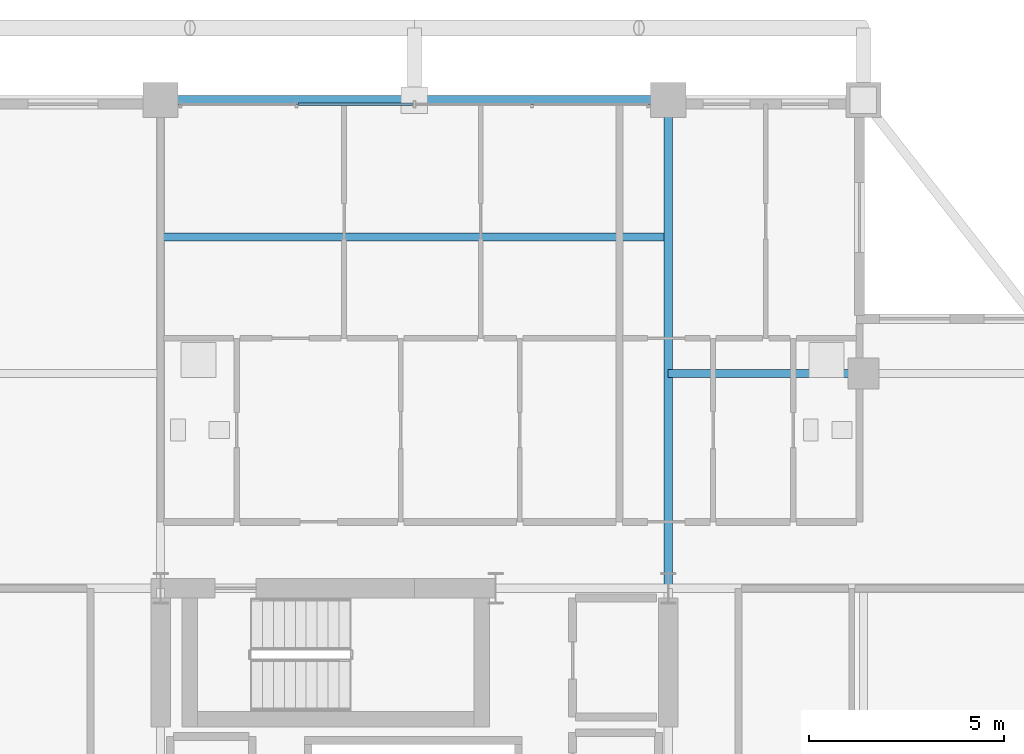
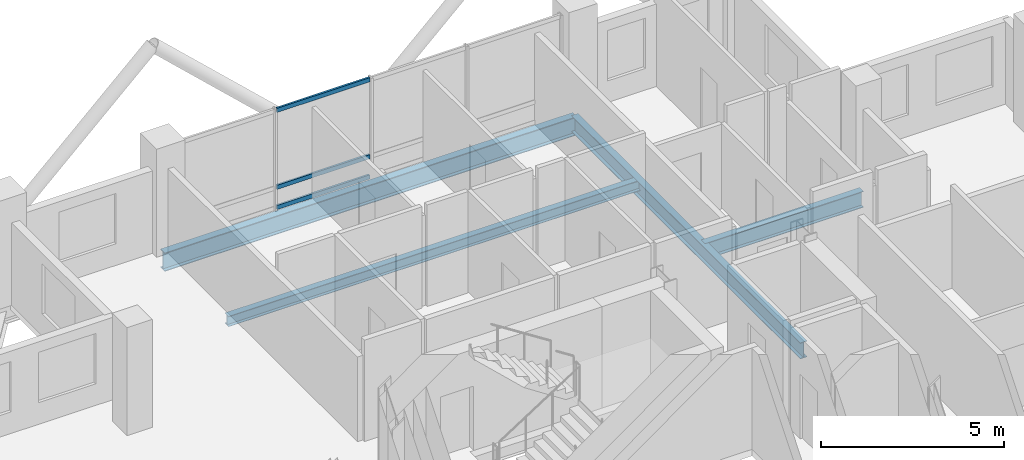
# One storey, part 16 of 25: 4 beams, 3 members, 1 element without a shape of its own.
"""IFC4 building model written with IfcOpenShell, lengths in metres."""

import ifcopenshell
import ifcopenshell.guid

model = None  # the IFC model being written
_history = None  # IfcOwnerHistory: only IFC2X3 demands one
_inside = {}  # id of a spatial element -> (the spatial element, [elements in it])
_under = {}  # id of a project, library or spatial element -> (it, [spatial elements below it])
_declared = {}  # id of a project -> (the project, [libraries it declares])
_typed = {}  # id of a type object -> (the type object, [elements of that type])
_made_of = {}  # id of a material, layer set ... -> (it, [elements and type objects made of it])


def new_model(schema):
    """Start an empty IFC model of exactly this schema.

    Asked for "IFC4X3", IfcOpenShell would pick the latest addendum, in which some entities
    have other attributes; the version numbers below select the first issue.
    IFC2X3 requires an IfcOwnerHistory on every rooted entity: one is made here for all.
    """
    global model, _history
    if schema == "IFC4X3":
        model = ifcopenshell.file(schema_version=(4, 3, 0, 0))
    else:
        model = ifcopenshell.file(schema=schema)
    _inside.clear()
    _under.clear()
    _declared.clear()
    _typed.clear()
    _made_of.clear()
    _history = None
    if model.schema == "IFC2X3":
        org = make("IfcOrganization", Name="unknown")
        user = make(
            "IfcPersonAndOrganization",
            ThePerson=make("IfcPerson", FamilyName="unknown"),
            TheOrganization=org,
        )
        app = make(
            "IfcApplication",
            ApplicationDeveloper=org,
            Version="unknown",
            ApplicationFullName="unknown",
            ApplicationIdentifier="unknown",
        )
        _history = make(
            "IfcOwnerHistory",
            OwningUser=user,
            OwningApplication=app,
            ChangeAction="ADDED",
            CreationDate=0,
        )
    return model


def make(cls, **values):
    """One entity of the class cls with the attributes given. An attribute that is None is left unset."""
    return model.create_entity(
        cls, **{name: value for name, value in values.items() if value is not None}
    )


def rooted(cls, **values):
    """An entity with a GlobalId (a new one), such as an element, a storey or a relation."""
    return make(cls, GlobalId=ifcopenshell.guid.new(), OwnerHistory=_history, **values)


def si_unit(unit_type, name, prefix=None):
    """IfcSIUnit, for example si_unit("LENGTHUNIT", "METRE", prefix="MILLI")."""
    return make("IfcSIUnit", UnitType=unit_type, Prefix=prefix, Name=name)


def assignment(units):
    """IfcUnitAssignment: the units of a project."""
    return None if units is None else make("IfcUnitAssignment", Units=units)


def point(xyz):
    """IfcCartesianPoint."""
    return None if xyz is None else make("IfcCartesianPoint", Coordinates=xyz)


def direction(xyz):
    """IfcDirection."""
    return None if xyz is None else make("IfcDirection", DirectionRatios=xyz)


def frame(location, z_axis=None, x_axis=None):
    """IfcAxis2Placement3D, a coordinate frame: its origin and axes. An axis left out is left unset."""
    return make(
        "IfcAxis2Placement3D",
        Location=point(location),
        Axis=direction(z_axis),
        RefDirection=direction(x_axis),
    )


def frame_2d(location, x_axis=None):
    """IfcAxis2Placement2D, a coordinate frame in the plane: its origin and x axis."""
    return make(
        "IfcAxis2Placement2D", Location=point(location), RefDirection=direction(x_axis)
    )


def origin():
    """The frame at (0, 0, 0) with its axes left unset."""
    return frame((0.0, 0.0, 0.0))


def origin_2d():
    """The frame at (0, 0) in the plane with its x axis left unset."""
    return frame_2d((0.0, 0.0))


def place(relative_to, where):
    """IfcLocalPlacement: puts the frame where relative to a parent placement (None: the world)."""
    return make(
        "IfcLocalPlacement", PlacementRelTo=relative_to, RelativePlacement=where
    )


def context(
    kind, dimensions, precision=None, world=None, true_north=None, identifier=None
):
    """IfcGeometricRepresentationContext, for example the 3D "Model" context."""
    return make(
        "IfcGeometricRepresentationContext",
        ContextIdentifier=identifier,
        ContextType=kind,
        CoordinateSpaceDimension=dimensions,
        Precision=precision,
        WorldCoordinateSystem=world,
        TrueNorth=true_north,
    )


def subcontext(parent, identifier, kind, view, scale=None):
    """IfcGeometricRepresentationSubContext, for example "Body" below "Model"."""
    return make(
        "IfcGeometricRepresentationSubContext",
        ContextIdentifier=identifier,
        ContextType=kind,
        ParentContext=parent,
        TargetScale=scale,
        TargetView=view,
    )


def project(units=None, contexts=None):
    """IfcProject with its units and contexts."""
    return rooted(
        "IfcProject",
        Name="project",
        RepresentationContexts=contexts,
        UnitsInContext=assignment(units),
    )


def spatial(cls, under=None, at=None, **own):
    """A site, building, storey or space (cls), placed at a placement, below another one or the project."""
    s = rooted(cls, ObjectPlacement=at, **own)
    if under is not None:
        _under.setdefault(under.id(), (under, []))[1].append(s)
    return s


def profile(cls, at=None, kind="AREA", **sizes):
    """A parametric profile (cls). Its sizes go by their IFC names, for example OverallWidth=200.0."""
    return make(cls, ProfileType=kind, Position=at, **sizes)


def hollow_rectangle(**sizes):
    """IfcRectangleHollowProfileDef."""
    return profile("IfcRectangleHollowProfileDef", **sizes)


def i_section(**sizes):
    """IfcIShapeProfileDef."""
    return profile("IfcIShapeProfileDef", **sizes)


def extrude(swept, where, along, depth):
    """IfcExtrudedAreaSolid: the profile swept, set in the frame where, extruded along a direction by depth."""
    return make(
        "IfcExtrudedAreaSolid",
        SweptArea=swept,
        Position=where,
        ExtrudedDirection=direction(along),
        Depth=depth,
    )


def shape(context_of_items, identifier, shape_type, items):
    """IfcShapeRepresentation: the items that make up one representation, for example the "Body"."""
    return make(
        "IfcShapeRepresentation",
        ContextOfItems=context_of_items,
        RepresentationIdentifier=identifier,
        RepresentationType=shape_type,
        Items=items,
    )


def material(Name=None, Category=None):
    """IfcMaterial."""
    return make("IfcMaterial", Name=Name, Category=Category)


def layer(
    of_material, thickness, ventilated=None, Name=None, Category=None, Priority=None
):
    """IfcMaterialLayer: one layer of a wall or slab, of a material (None: an air gap)."""
    return make(
        "IfcMaterialLayer",
        Material=of_material,
        LayerThickness=thickness,
        IsVentilated=ventilated,
        Name=Name,
        Category=Category,
        Priority=Priority,
    )


def layer_set(layers, Name=None):
    """IfcMaterialLayerSet."""
    return make("IfcMaterialLayerSet", MaterialLayers=layers, LayerSetName=Name)


def material_profile(
    of_material, cross_section, Name=None, Category=None, Priority=None
):
    """IfcMaterialProfile: a cross section and its material."""
    return make(
        "IfcMaterialProfile",
        Name=Name,
        Material=of_material,
        Profile=cross_section,
        Priority=Priority,
        Category=Category,
    )


def profile_set(profiles, Name=None, composite=None):
    """IfcMaterialProfileSet."""
    return make(
        "IfcMaterialProfileSet",
        Name=Name,
        MaterialProfiles=profiles,
        CompositeProfile=composite,
    )


def made_of(thing, what):
    """Note that an element or type object is made of a material, layer set ...; save() writes the relation."""
    if what is not None:
        _made_of.setdefault(what.id(), (what, []))[1].append(thing)
    return thing


def type_object(cls, material=None, **own):
    """A type object (cls), such as IfcWallType, which elements share."""
    return made_of(rooted(cls, **own), material)


def element(
    cls,
    number,
    at=None,
    inside=None,
    cuts=None,
    type_object=None,
    material=None,
    context=None,
    identifier="Body",
    shape_type=None,
    held_by="IfcProductDefinitionShape",
    body=None,
    shapes=None,
    **own,
):
    """One element of the class cls, such as IfcWall. Its Tag is "e" and its number.

    at: its placement. inside: the storey or other place that contains it. cuts: it is an
    opening in that element (IfcRelVoidsElement). A single representation is given by context,
    identifier, shape_type and body (its items); several are given by shapes. held_by: the class
    of the entity that holds the representations. save() writes the other relations.
    """
    e = rooted(cls, Tag="e%d" % number, ObjectPlacement=at, **own)
    if body is not None:
        shapes = [shape(context, identifier, shape_type, body)]
    if shapes is not None:
        e.Representation = make(held_by, Representations=shapes)
    if inside is not None:
        _inside.setdefault(inside.id(), (inside, []))[1].append(e)
    if cuts is not None:
        rooted(
            "IfcRelVoidsElement", RelatingBuildingElement=cuts, RelatedOpeningElement=e
        )
    if type_object is not None:
        _typed.setdefault(type_object.id(), (type_object, []))[1].append(e)
    return made_of(e, material)


def aggregate(whole, parts):
    """IfcRelAggregates: a whole, such as a stair, and the parts it consists of."""
    return rooted("IfcRelAggregates", RelatingObject=whole, RelatedObjects=parts)


def save(model, path):
    """Write the relations noted so far, then the file.

    IfcRelAggregates (storeys below a building ...), IfcRelContainedInSpatialStructure (elements
    in a storey), IfcRelDefinesByType, IfcRelAssociatesMaterial and IfcRelDeclares: one each for
    every whole, place, type object, material and project.
    """
    for whole, parts in _under.values():
        aggregate(whole, parts)
    for where, things in _inside.values():
        rooted(
            "IfcRelContainedInSpatialStructure",
            RelatedElements=things,
            RelatingStructure=where,
        )
    for kind, things in _typed.values():
        rooted("IfcRelDefinesByType", RelatedObjects=things, RelatingType=kind)
    for what, things in _made_of.values():
        rooted("IfcRelAssociatesMaterial", RelatedObjects=things, RelatingMaterial=what)
    for by, libraries in _declared.values():
        rooted("IfcRelDeclares", RelatingContext=by, RelatedDefinitions=libraries)
    model.write(path)


model = new_model("IFC4")

# Units and contexts
model_context = context("Model", 3, precision=1e-05, world=origin(), true_north=direction((0.0, 1.0)))
body_context = subcontext(model_context, "Body", "Model", "MODEL_VIEW")
ifc_project = project(units=[si_unit("LENGTHUNIT", "METRE"), si_unit("AREAUNIT", "SQUARE_METRE"), si_unit("VOLUMEUNIT", "CUBIC_METRE"), si_unit("PLANEANGLEUNIT", "RADIAN"), si_unit("MASSUNIT", "GRAM", prefix="KILO")], contexts=[model_context])

# Site, building, storey
site_placement = place(None, origin())
site = spatial("IfcSite", under=ifc_project, at=site_placement, CompositionType="ELEMENT")
building_placement = place(site_placement, origin())
building = spatial("IfcBuilding", under=site, at=building_placement, Name="Barlavira Tower and Art Museum", CompositionType="ELEMENT")
storey_placement = place(building_placement, frame((0.0, 0.0, 229.5)))
storey = spatial("IfcBuildingStorey", under=building, at=storey_placement, Name="L59", CompositionType="ELEMENT", Elevation=229.5)

# Curtain wall, members
ifc_material_1 = material(Name="Low-iron coastal laminated glass", Category="glass")
ifc_layer = layer(ifc_material_1, 0.2099609375, Name="Low-iron coastal laminated glass")
ifc_layer_set = layer_set([ifc_layer], Name="Low-iron coastal laminated glass")
curtain_wall_type = type_object("IfcCurtainWallType", Name="Pale-Metal Unitised Curtain Wall Zone 4", PredefinedType="NOTDEFINED", material=ifc_layer_set)
curtain_wall_placement = place(storey_placement, origin())
curtain_wall = element("IfcCurtainWall", 1, at=curtain_wall_placement, inside=storey, type_object=curtain_wall_type, Name="L59 Curtain Wall CW4-L59-N-B2", PredefinedType="NOTDEFINED")
ifc_material_2 = material(Name="Pale anodised aluminium", Category="aluminium")
ifc_material_profile_1 = material_profile(ifc_material_2, hollow_rectangle(XDim=0.06494140625, YDim=0.139892578125, WallThickness=0.00390625, at=origin_2d()), Name="ALU-TRAN 65x140x4")
ifc_profile_set_1 = profile_set([ifc_material_profile_1], Name="Pale anodised aluminium")
member_type = type_object("IfcMemberType", Name="Curtain Wall Pale-Metal Transom 65x140", PredefinedType="USERDEFINED", material=ifc_profile_set_1)
member_1_placement = place(storey_placement, frame((-0.044921875, 19.89990234375, 0.070068359375), z_axis=(-1.0, 0.0, 0.0), x_axis=(0.0, -1.0, 0.0)))
member_1 = element("IfcMember", 2, at=member_1_placement, type_object=member_type, Name="CW4-L59-N-B2 Transom 2.1", ObjectType="TRANSOM", PredefinedType="USERDEFINED", context=body_context, shape_type="SweptSolid", body=[
    extrude(hollow_rectangle(XDim=0.06494140625, YDim=0.139892578125, WallThickness=0.00390625, at=origin_2d()), origin(), (0.0, 0.0, 1.0), 2.925048828125),
])
member_2_placement = place(storey_placement, frame((-0.044921875, 19.89990234375, 0.743896484375), z_axis=(-1.0, 0.0, 0.0), x_axis=(0.0, -1.0, 0.0)))
member_2 = element("IfcMember", 3, at=member_2_placement, type_object=member_type, Name="CW4-L59-N-B2 Transom 2.2", ObjectType="TRANSOM", PredefinedType="USERDEFINED", context=body_context, shape_type="SweptSolid", body=[
    extrude(hollow_rectangle(XDim=0.06494140625, YDim=0.139892578125, WallThickness=0.00390625, at=origin_2d()), origin(), (0.0, 0.0, 1.0), 2.925048828125),
])
member_3_placement = place(storey_placement, frame((-0.044921875, 19.89990234375, 3.31005859375), z_axis=(-1.0, 0.0, 0.0), x_axis=(0.0, -1.0, 0.0)))
member_3 = element("IfcMember", 4, at=member_3_placement, type_object=member_type, Name="CW4-L59-N-B2 Transom 2.3", ObjectType="TRANSOM", PredefinedType="USERDEFINED", context=body_context, shape_type="SweptSolid", body=[
    extrude(hollow_rectangle(XDim=0.06494140625, YDim=0.139892578125, WallThickness=0.00390625, at=origin_2d()), origin(), (0.0, 0.0, 1.0), 2.925048828125),
])
aggregate(curtain_wall, [member_1, member_2, member_3])

# Beams
ifc_material_3 = material(Name="Steel S355", Category="steel")
ifc_material_profile_2 = material_profile(ifc_material_3, i_section(OverallWidth=0.22998046875, OverallDepth=0.616943359375, WebThickness=0.01318359375, FlangeThickness=0.022216796875, at=origin_2d()), Name="W610x140.0")
ifc_profile_set_2 = profile_set([ifc_material_profile_2], Name="Steel S355")
beam_type_1 = type_object("IfcBeamType", Name="Upper Shaft Spandrel Edge Beam W610x140 Steel S355", PredefinedType="SPANDREL", material=ifc_profile_set_2)
beam_1_placement = place(storey_placement, frame((-6.5, 20.0, -0.528564453125), z_axis=(1.0, 0.0, 0.0), x_axis=(0.0, 1.0, 0.0)))
element("IfcBeam", 5, at=beam_1_placement, inside=storey, type_object=beam_type_1, Name="L59 Spandrel 10", PredefinedType="SPANDREL", context=body_context, shape_type="SweptSolid", body=[
    extrude(i_section(OverallWidth=0.22998046875, OverallDepth=0.616943359375, WebThickness=0.01318359375, FlangeThickness=0.022216796875, at=origin_2d()), origin(), (0.0, 0.0, 1.0), 13.0),
])
ifc_material_profile_3 = material_profile(ifc_material_3, i_section(OverallWidth=0.2109375, OverallDepth=0.5390625, WebThickness=0.01171875, FlangeThickness=0.018798828125, at=origin_2d()), Name="W530x109.0")
ifc_profile_set_3 = profile_set([ifc_material_profile_3], Name="Steel S355")
beam_type_2 = type_object("IfcBeamType", Name="Zone 3-4 Primary Floor Girder W530x109 Steel S355", PredefinedType="BEAM", material=ifc_profile_set_3)
beam_2_placement = place(storey_placement, frame((6.5, 7.5, -0.489501953125), z_axis=(0.0, 1.0, 0.0), x_axis=(-1.0, 0.0, 0.0)))
element("IfcBeam", 6, at=beam_2_placement, inside=storey, type_object=beam_type_2, Name="L59 Girder R-N2", PredefinedType="BEAM", context=body_context, shape_type="SweptSolid", body=[
    extrude(i_section(OverallWidth=0.2109375, OverallDepth=0.5390625, WebThickness=0.01171875, FlangeThickness=0.018798828125, at=origin_2d()), origin(), (0.0, 0.0, 1.0), 12.5),
])
beam_3_placement = place(storey_placement, frame((6.5, 13.0, -0.489501953125), z_axis=(1.0, 0.0, 0.0), x_axis=(0.0, 1.0, 0.0)))
element("IfcBeam", 7, at=beam_3_placement, inside=storey, type_object=beam_type_2, Name="L59 Girder I-N3", PredefinedType="BEAM", context=body_context, shape_type="SweptSolid", body=[
    extrude(i_section(OverallWidth=0.2109375, OverallDepth=0.5390625, WebThickness=0.01171875, FlangeThickness=0.018798828125, at=origin_2d()), origin(), (0.0, 0.0, 1.0), 5.0),
])
ifc_material_profile_4 = material_profile(ifc_material_3, i_section(OverallWidth=0.202880859375, OverallDepth=0.346923828125, WebThickness=0.0078125, FlangeThickness=0.013427734375, at=origin_2d()), Name="W360x64.0")
ifc_profile_set_4 = profile_set([ifc_material_profile_4], Name="Steel S355")
beam_type_3 = type_object("IfcBeamType", Name="Zone 4 Composite Floor Joist W360x64 Steel S355", PredefinedType="JOIST", material=ifc_profile_set_4)
beam_4_placement = place(storey_placement, frame((-6.5, 16.5, -0.3935546875), z_axis=(1.0, 0.0, 0.0), x_axis=(0.0, 1.0, 0.0)))
element("IfcBeam", 8, at=beam_4_placement, inside=storey, type_object=beam_type_3, Name="L59 Joist C2", PredefinedType="JOIST", context=body_context, shape_type="SweptSolid", body=[
    extrude(i_section(OverallWidth=0.202880859375, OverallDepth=0.346923828125, WebThickness=0.0078125, FlangeThickness=0.013427734375, at=origin_2d()), origin(), (0.0, 0.0, 1.0), 13.0),
])

save(model, "model.ifc")
